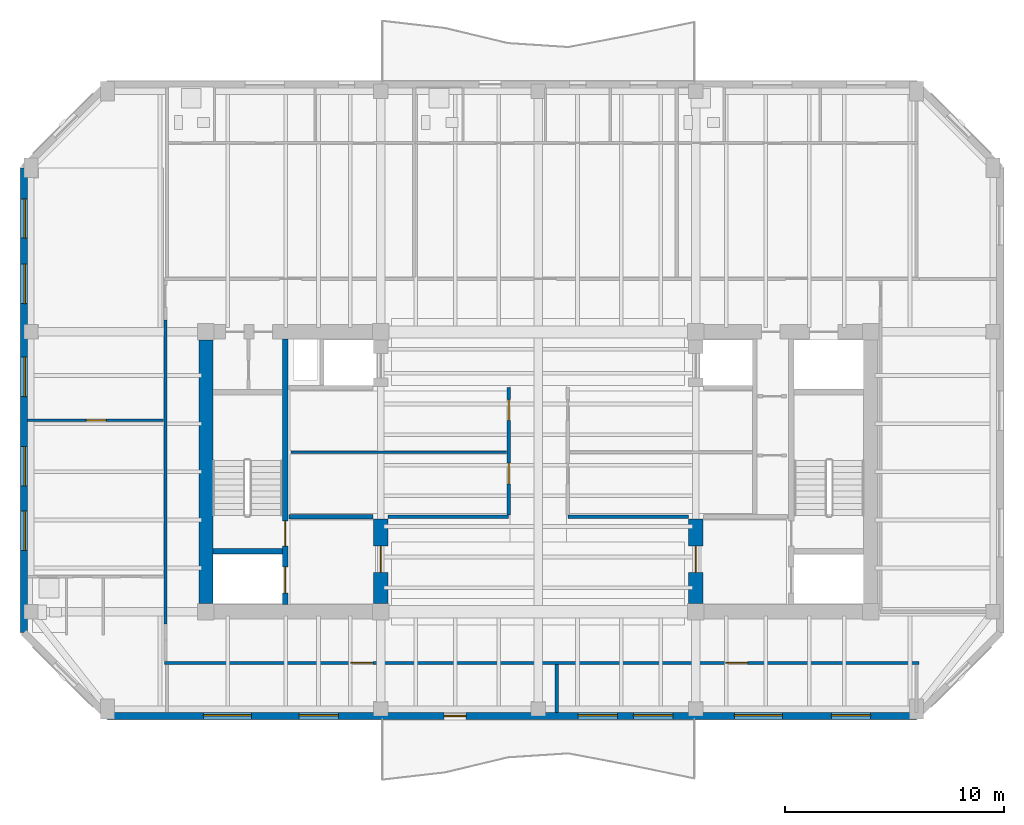
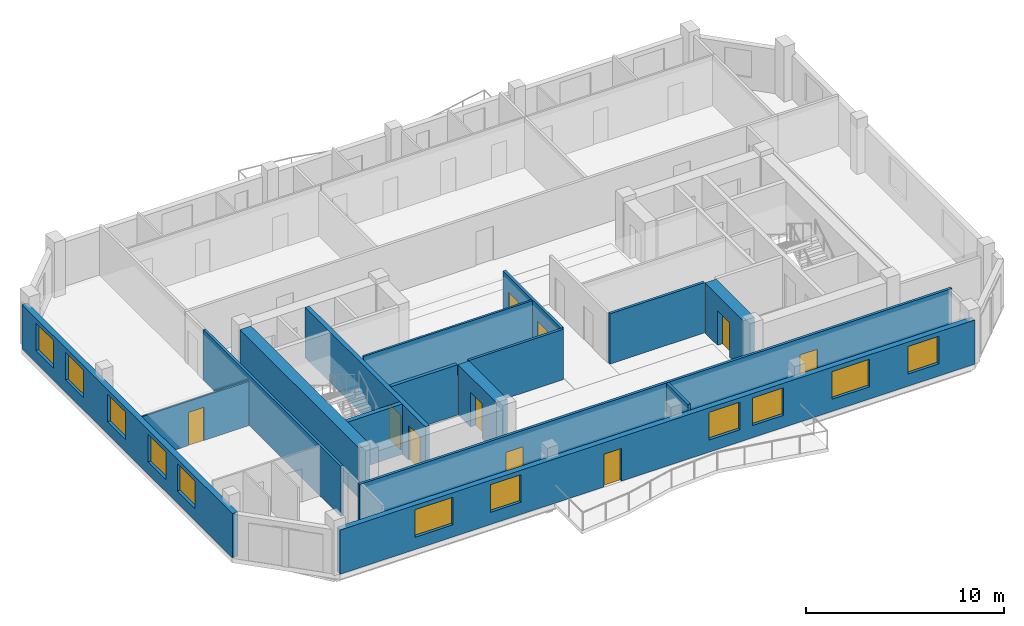
# One storey, part 3 of 10: 16 walls, 11 windows, 10 doors, 21 openings.
"""IFC4 building model written with IfcOpenShell, lengths in metres."""

from ifc_helpers import new_model, si_unit, direction, frame, frame_2d, origin, place, context, subcontext, project, spatial, rectangle, extrude, material, layer, layer_set, type_object, element, fill, save


model = new_model("IFC4")

# Units and contexts
model_context = context("Model", 3, precision=1e-05, world=origin(), true_north=direction((0.0, 1.0)))
body_context = subcontext(model_context, "Body", "Model", "MODEL_VIEW")
ifc_project = project(units=[si_unit("LENGTHUNIT", "METRE"), si_unit("AREAUNIT", "SQUARE_METRE"), si_unit("VOLUMEUNIT", "CUBIC_METRE"), si_unit("PLANEANGLEUNIT", "RADIAN"), si_unit("MASSUNIT", "GRAM", prefix="KILO")], contexts=[model_context])

# Site, building, storey
site_placement = place(None, origin())
site = spatial("IfcSite", under=ifc_project, at=site_placement, CompositionType="ELEMENT")
building_placement = place(site_placement, origin())
building = spatial("IfcBuilding", under=site, at=building_placement, Name="Kranthara Brick Stack", CompositionType="ELEMENT")
storey_placement = place(building_placement, frame((0.0, 0.0, 275.5)))
storey = spatial("IfcBuildingStorey", under=building, at=storey_placement, Name="L73", CompositionType="ELEMENT", Elevation=275.5)

# Wall, openings, door, windows
ifc_material_1 = material(Name="Warm buff clay brick masonry M15", Category="masonry")
ifc_layer_1 = layer(ifc_material_1, 0.320068359375)
ifc_layer_set_1 = layer_set([ifc_layer_1], Name="Warm buff clay brick masonry M15")
wall_type_1 = type_object("IfcWallType", Name="WL-BRK-UPPR-320", PredefinedType="STANDARD", material=ifc_layer_set_1)
wall_1_placement = place(storey_placement, frame((45.300048828125, 16.030029296875, 0.0), z_axis=(0.0, 0.0, 1.0), x_axis=(-1.0, 0.0, 0.0)))
wall_1 = element("IfcWall", 1, at=wall_1_placement, inside=storey, type_object=wall_type_1, Name="L73 Exterior Brick Facade Wall SOUTH 1", PredefinedType="STANDARD", context=body_context, shape_type="SweptSolid", body=[
    extrude(rectangle(XDim=37.0, YDim=0.320068359375, at=frame_2d((18.5, 0.0))), origin(), (0.0, 0.0, 1.0), 2.72509765625),
])
opening_1_placement = place(wall_1_placement, frame((20.60009765625, 0.0, 0.0)))
opening_1 = element("IfcOpeningElement", 2, at=opening_1_placement, cuts=wall_1, Name="Opening D03", PredefinedType="OPENING", context=body_context, shape_type="SweptSolid", body=[
    extrude(rectangle(XDim=1.0, YDim=2.02001953125, at=frame_2d((0.5, 1.010009765625))), frame((0.0, 0.169921875, 0.0), z_axis=(0.0, -1.0, 0.0), x_axis=(1.0, 0.0, 0.0)), (0.0, 0.0, 1.0), 0.340087890625),
])
opening_2_placement = place(wall_1_placement, frame((2.093994140625, 0.0, 0.75)))
opening_2 = element("IfcOpeningElement", 3, at=opening_2_placement, cuts=wall_1, Name="Opening WN07", PredefinedType="OPENING", context=body_context, shape_type="SweptSolid", body=[
    extrude(rectangle(XDim=1.800048828125, YDim=1.699951171875, at=frame_2d((0.89990234375, 0.85009765625))), frame((0.0, 0.169921875, 0.0), z_axis=(0.0, -1.0, 0.0), x_axis=(1.0, 0.0, 0.0)), (0.0, 0.0, 1.0), 0.340087890625),
])
opening_3_placement = place(wall_1_placement, frame((6.1298828125, 0.0, 0.75)))
opening_3 = element("IfcOpeningElement", 4, at=opening_3_placement, cuts=wall_1, Name="Opening WN08", PredefinedType="OPENING", context=body_context, shape_type="SweptSolid", body=[
    extrude(rectangle(XDim=2.199951171875, YDim=1.699951171875, at=frame_2d((1.10009765625, 0.85009765625))), frame((0.0, 0.169921875, 0.0), z_axis=(0.0, -1.0, 0.0), x_axis=(1.0, 0.0, 0.0)), (0.0, 0.0, 1.0), 0.340087890625),
])
opening_4_placement = place(wall_1_placement, frame((11.14794921875, 0.0, 0.75)))
opening_4 = element("IfcOpeningElement", 5, at=opening_4_placement, cuts=wall_1, Name="Opening WN07", PredefinedType="OPENING", context=body_context, shape_type="SweptSolid", body=[
    extrude(rectangle(XDim=1.800048828125, YDim=1.699951171875, at=frame_2d((0.89990234375, 0.85009765625))), frame((0.0, 0.169921875, 0.0), z_axis=(0.0, -1.0, 0.0), x_axis=(1.0, 0.0, 0.0)), (0.0, 0.0, 1.0), 0.340087890625),
])
opening_5_placement = place(wall_1_placement, frame((13.680908203125, 0.0, 0.75)))
opening_5 = element("IfcOpeningElement", 6, at=opening_5_placement, cuts=wall_1, Name="Opening WN07", PredefinedType="OPENING", context=body_context, shape_type="SweptSolid", body=[
    extrude(rectangle(XDim=1.800048828125, YDim=1.699951171875, at=frame_2d((0.89990234375, 0.85009765625))), frame((0.0, 0.169921875, 0.0), z_axis=(0.0, -1.0, 0.0), x_axis=(1.0, 0.0, 0.0)), (0.0, 0.0, 1.0), 0.340087890625),
])
opening_6_placement = place(wall_1_placement, frame((26.43798828125, 0.0, 0.75)))
opening_6 = element("IfcOpeningElement", 7, at=opening_6_placement, cuts=wall_1, Name="Opening WN07", PredefinedType="OPENING", context=body_context, shape_type="SweptSolid", body=[
    extrude(rectangle(XDim=1.800048828125, YDim=1.699951171875, at=frame_2d((0.89990234375, 0.85009765625))), frame((0.0, 0.169921875, 0.0), z_axis=(0.0, -1.0, 0.0), x_axis=(1.0, 0.0, 0.0)), (0.0, 0.0, 1.0), 0.340087890625),
])
opening_7_placement = place(wall_1_placement, frame((30.4169921875, 0.0, 0.75)))
opening_7 = element("IfcOpeningElement", 8, at=opening_7_placement, cuts=wall_1, Name="Opening WN08", PredefinedType="OPENING", context=body_context, shape_type="SweptSolid", body=[
    extrude(rectangle(XDim=2.199951171875, YDim=1.699951171875, at=frame_2d((1.10009765625, 0.85009765625))), frame((0.0, 0.169921875, 0.0), z_axis=(0.0, -1.0, 0.0), x_axis=(1.0, 0.0, 0.0)), (0.0, 0.0, 1.0), 0.340087890625),
])
ifc_material_2 = material(Name="Bronze anodised aluminium and laminated glass", Category="aluminium")
door_type_1 = type_object("IfcDoorType", Name="DR-BALC-1000", OperationType="NOTDEFINED", PredefinedType="DOOR", material=ifc_material_2)
door_1_placement = place(opening_1_placement, origin())
door_1 = element("IfcDoor", 9, at=door_1_placement, inside=storey, type_object=door_type_1, Name="L73 South Balcony Terrace Door", OperationType="SINGLE_SWING_LEFT", OverallHeight=2.02001953125, OverallWidth=1.0, PredefinedType="DOOR", context=body_context, shape_type="SweptSolid", body=[
    extrude(rectangle(XDim=1.0, YDim=2.02001953125, at=frame_2d((0.5, 1.010009765625))), frame((0.0, 0.02490234375, 0.0), z_axis=(0.0, -1.0, 0.0), x_axis=(1.0, 0.0, 0.0)), (0.0, 0.0, 1.0), 0.050048828125),
])
fill(opening_1, door_1)
ifc_material_3 = material(Name="Double-glazed low-E solar control glass", Category="glass")
window_type_1 = type_object("IfcWindowType", Name="WN-RES-1800x1850", PartitioningType="DOUBLE_PANEL_VERTICAL", PredefinedType="WINDOW", material=ifc_material_3)
window_1_placement = place(opening_2_placement, origin())
window_1 = element("IfcWindow", 10, at=window_1_placement, inside=storey, type_object=window_type_1, Name="L73 South Deep-Set Brick Window 01", OverallHeight=1.699951171875, OverallWidth=1.800048828125, PartitioningType="SINGLE_PANEL", PredefinedType="WINDOW", context=body_context, shape_type="SweptSolid", body=[
    extrude(rectangle(XDim=1.800048828125, YDim=1.699951171875, at=frame_2d((0.89990234375, 0.85009765625))), frame((0.0, -0.010009765625, 0.0), z_axis=(0.0, -1.0, 0.0), x_axis=(1.0, 0.0, 0.0)), (0.0, 0.0, 1.0), 0.06005859375),
])
fill(opening_2, window_1)
window_2_placement = place(opening_4_placement, origin())
window_2 = element("IfcWindow", 11, at=window_2_placement, inside=storey, type_object=window_type_1, Name="L73 South Deep-Set Brick Window 03", OverallHeight=1.699951171875, OverallWidth=1.800048828125, PartitioningType="SINGLE_PANEL", PredefinedType="WINDOW", context=body_context, shape_type="SweptSolid", body=[
    extrude(rectangle(XDim=1.800048828125, YDim=1.699951171875, at=frame_2d((0.89990234375, 0.85009765625))), frame((0.0, -0.010009765625, 0.0), z_axis=(0.0, -1.0, 0.0), x_axis=(1.0, 0.0, 0.0)), (0.0, 0.0, 1.0), 0.06005859375),
])
fill(opening_4, window_2)
window_3_placement = place(opening_5_placement, origin())
window_3 = element("IfcWindow", 12, at=window_3_placement, inside=storey, type_object=window_type_1, Name="L73 South Deep-Set Brick Window 04", OverallHeight=1.699951171875, OverallWidth=1.800048828125, PartitioningType="SINGLE_PANEL", PredefinedType="WINDOW", context=body_context, shape_type="SweptSolid", body=[
    extrude(rectangle(XDim=1.800048828125, YDim=1.699951171875, at=frame_2d((0.89990234375, 0.85009765625))), frame((0.0, -0.010009765625, 0.0), z_axis=(0.0, -1.0, 0.0), x_axis=(1.0, 0.0, 0.0)), (0.0, 0.0, 1.0), 0.06005859375),
])
fill(opening_5, window_3)
window_4_placement = place(opening_6_placement, origin())
window_4 = element("IfcWindow", 13, at=window_4_placement, inside=storey, type_object=window_type_1, Name="L73 South Deep-Set Brick Window 05", OverallHeight=1.699951171875, OverallWidth=1.800048828125, PartitioningType="SINGLE_PANEL", PredefinedType="WINDOW", context=body_context, shape_type="SweptSolid", body=[
    extrude(rectangle(XDim=1.800048828125, YDim=1.699951171875, at=frame_2d((0.89990234375, 0.85009765625))), frame((0.0, -0.010009765625, 0.0), z_axis=(0.0, -1.0, 0.0), x_axis=(1.0, 0.0, 0.0)), (0.0, 0.0, 1.0), 0.06005859375),
])
fill(opening_6, window_4)
ifc_material_4 = material(Name="Double-glazed low-E solar control glass", Category="glass")
window_type_2 = type_object("IfcWindowType", Name="WN-RES-2200x1850", PartitioningType="TRIPLE_PANEL_VERTICAL", PredefinedType="WINDOW", material=ifc_material_4)
window_5_placement = place(opening_3_placement, origin())
window_5 = element("IfcWindow", 14, at=window_5_placement, inside=storey, type_object=window_type_2, Name="L73 South Deep-Set Brick Window 02", OverallHeight=1.699951171875, OverallWidth=2.199951171875, PartitioningType="SINGLE_PANEL", PredefinedType="WINDOW", context=body_context, shape_type="SweptSolid", body=[
    extrude(rectangle(XDim=2.199951171875, YDim=1.699951171875, at=frame_2d((1.10009765625, 0.85009765625))), frame((0.0, -0.010009765625, 0.0), z_axis=(0.0, -1.0, 0.0), x_axis=(1.0, 0.0, 0.0)), (0.0, 0.0, 1.0), 0.06005859375),
])
fill(opening_3, window_5)
window_6_placement = place(opening_7_placement, origin())
window_6 = element("IfcWindow", 15, at=window_6_placement, inside=storey, type_object=window_type_2, Name="L73 South Deep-Set Brick Window 06", OverallHeight=1.699951171875, OverallWidth=2.199951171875, PartitioningType="SINGLE_PANEL", PredefinedType="WINDOW", context=body_context, shape_type="SweptSolid", body=[
    extrude(rectangle(XDim=2.199951171875, YDim=1.699951171875, at=frame_2d((1.10009765625, 0.85009765625))), frame((0.0, -0.010009765625, 0.0), z_axis=(0.0, -1.0, 0.0), x_axis=(1.0, 0.0, 0.0)), (0.0, 0.0, 1.0), 0.06005859375),
])
fill(opening_7, window_6)

# Wall, openings, windows
wall_2_placement = place(storey_placement, frame((4.47998046875, 19.85009765625, 0.0), z_axis=(0.0, 0.0, 1.0), x_axis=(0.0, 1.0, 0.0)))
wall_2 = element("IfcWall", 16, at=wall_2_placement, inside=storey, type_object=wall_type_1, Name="L73 Exterior Brick Facade Wall WEST 1", PredefinedType="STANDARD", context=body_context, shape_type="SweptSolid", body=[
    extrude(rectangle(XDim=21.25, YDim=0.320068359375, at=frame_2d((10.625, 0.0))), origin(), (0.0, 0.0, 1.0), 2.72509765625),
])
opening_8_placement = place(wall_2_placement, frame((3.7509765625, 0.0, 0.75)))
opening_8 = element("IfcOpeningElement", 17, at=opening_8_placement, cuts=wall_2, Name="Opening WN07", PredefinedType="OPENING", context=body_context, shape_type="SweptSolid", body=[
    extrude(rectangle(XDim=1.800048828125, YDim=1.699951171875, at=frame_2d((0.89990234375, 0.85009765625))), frame((0.0, 0.169921875, 0.0), z_axis=(0.0, -1.0, 0.0), x_axis=(1.0, 0.0, 0.0)), (0.0, 0.0, 1.0), 0.340087890625),
])
opening_9_placement = place(wall_2_placement, frame((6.705078125, 0.0, 0.75)))
opening_9 = element("IfcOpeningElement", 18, at=opening_9_placement, cuts=wall_2, Name="Opening WN07", PredefinedType="OPENING", context=body_context, shape_type="SweptSolid", body=[
    extrude(rectangle(XDim=1.800048828125, YDim=1.699951171875, at=frame_2d((0.89990234375, 0.85009765625))), frame((0.0, 0.169921875, 0.0), z_axis=(0.0, -1.0, 0.0), x_axis=(1.0, 0.0, 0.0)), (0.0, 0.0, 1.0), 0.340087890625),
])
opening_10_placement = place(wall_2_placement, frame((10.7900390625, 0.0, 0.75)))
opening_10 = element("IfcOpeningElement", 19, at=opening_10_placement, cuts=wall_2, Name="Opening WN07", PredefinedType="OPENING", context=body_context, shape_type="SweptSolid", body=[
    extrude(rectangle(XDim=1.800048828125, YDim=1.699951171875, at=frame_2d((0.89990234375, 0.85009765625))), frame((0.0, 0.169921875, 0.0), z_axis=(0.0, -1.0, 0.0), x_axis=(1.0, 0.0, 0.0)), (0.0, 0.0, 1.0), 0.340087890625),
])
opening_11_placement = place(wall_2_placement, frame((15.04296875, 0.0, 0.75)))
opening_11 = element("IfcOpeningElement", 20, at=opening_11_placement, cuts=wall_2, Name="Opening WN07", PredefinedType="OPENING", context=body_context, shape_type="SweptSolid", body=[
    extrude(rectangle(XDim=1.800048828125, YDim=1.699951171875, at=frame_2d((0.89990234375, 0.85009765625))), frame((0.0, 0.169921875, 0.0), z_axis=(0.0, -1.0, 0.0), x_axis=(1.0, 0.0, 0.0)), (0.0, 0.0, 1.0), 0.340087890625),
])
opening_12_placement = place(wall_2_placement, frame((18.031982421875, 0.0, 0.75)))
opening_12 = element("IfcOpeningElement", 21, at=opening_12_placement, cuts=wall_2, Name="Opening WN07", PredefinedType="OPENING", context=body_context, shape_type="SweptSolid", body=[
    extrude(rectangle(XDim=1.800048828125, YDim=1.699951171875, at=frame_2d((0.89990234375, 0.85009765625))), frame((0.0, 0.169921875, 0.0), z_axis=(0.0, -1.0, 0.0), x_axis=(1.0, 0.0, 0.0)), (0.0, 0.0, 1.0), 0.340087890625),
])
window_7_placement = place(opening_8_placement, origin())
window_7 = element("IfcWindow", 22, at=window_7_placement, inside=storey, type_object=window_type_1, Name="L73 West Deep-Set Brick Window 01", OverallHeight=1.699951171875, OverallWidth=1.800048828125, PartitioningType="SINGLE_PANEL", PredefinedType="WINDOW", context=body_context, shape_type="SweptSolid", body=[
    extrude(rectangle(XDim=1.800048828125, YDim=1.699951171875, at=frame_2d((0.89990234375, 0.85009765625))), frame((0.0, -0.010009765625, 0.0), z_axis=(0.0, -1.0, 0.0), x_axis=(1.0, 0.0, 0.0)), (0.0, 0.0, 1.0), 0.06005859375),
])
fill(opening_8, window_7)
window_8_placement = place(opening_9_placement, origin())
window_8 = element("IfcWindow", 23, at=window_8_placement, inside=storey, type_object=window_type_1, Name="L73 West Deep-Set Brick Window 02", OverallHeight=1.699951171875, OverallWidth=1.800048828125, PartitioningType="SINGLE_PANEL", PredefinedType="WINDOW", context=body_context, shape_type="SweptSolid", body=[
    extrude(rectangle(XDim=1.800048828125, YDim=1.699951171875, at=frame_2d((0.89990234375, 0.85009765625))), frame((0.0, -0.010009765625, 0.0), z_axis=(0.0, -1.0, 0.0), x_axis=(1.0, 0.0, 0.0)), (0.0, 0.0, 1.0), 0.06005859375),
])
fill(opening_9, window_8)
window_9_placement = place(opening_10_placement, origin())
window_9 = element("IfcWindow", 24, at=window_9_placement, inside=storey, type_object=window_type_1, Name="L73 West Deep-Set Brick Window 03", OverallHeight=1.699951171875, OverallWidth=1.800048828125, PartitioningType="SINGLE_PANEL", PredefinedType="WINDOW", context=body_context, shape_type="SweptSolid", body=[
    extrude(rectangle(XDim=1.800048828125, YDim=1.699951171875, at=frame_2d((0.89990234375, 0.85009765625))), frame((0.0, -0.010009765625, 0.0), z_axis=(0.0, -1.0, 0.0), x_axis=(1.0, 0.0, 0.0)), (0.0, 0.0, 1.0), 0.06005859375),
])
fill(opening_10, window_9)
window_10_placement = place(opening_11_placement, origin())
window_10 = element("IfcWindow", 25, at=window_10_placement, inside=storey, type_object=window_type_1, Name="L73 West Deep-Set Brick Window 04", OverallHeight=1.699951171875, OverallWidth=1.800048828125, PartitioningType="SINGLE_PANEL", PredefinedType="WINDOW", context=body_context, shape_type="SweptSolid", body=[
    extrude(rectangle(XDim=1.800048828125, YDim=1.699951171875, at=frame_2d((0.89990234375, 0.85009765625))), frame((0.0, -0.010009765625, 0.0), z_axis=(0.0, -1.0, 0.0), x_axis=(1.0, 0.0, 0.0)), (0.0, 0.0, 1.0), 0.06005859375),
])
fill(opening_11, window_10)
window_11_placement = place(opening_12_placement, origin())
window_11 = element("IfcWindow", 26, at=window_11_placement, inside=storey, type_object=window_type_1, Name="L73 West Deep-Set Brick Window 05", OverallHeight=1.699951171875, OverallWidth=1.800048828125, PartitioningType="SINGLE_PANEL", PredefinedType="WINDOW", context=body_context, shape_type="SweptSolid", body=[
    extrude(rectangle(XDim=1.800048828125, YDim=1.699951171875, at=frame_2d((0.89990234375, 0.85009765625))), frame((0.0, -0.010009765625, 0.0), z_axis=(0.0, -1.0, 0.0), x_axis=(1.0, 0.0, 0.0)), (0.0, 0.0, 1.0), 0.06005859375),
])
fill(opening_12, window_11)

# Wall, openings, doors
ifc_material_5 = material(Name="Concrete C50/60", Category="concrete")
ifc_layer_2 = layer(ifc_material_5, 0.25)
ifc_layer_set_2 = layer_set([ifc_layer_2], Name="Concrete C50/60")
wall_type_2 = type_object("IfcWallType", Name="WL-CORE-250", PredefinedType="SHEAR", material=ifc_layer_set_2)
wall_3_placement = place(storey_placement, frame((16.43505859375, 21.135009765625, 0.0), z_axis=(0.0, 0.0, 1.0), x_axis=(0.0, 1.0, 0.0)))
wall_3 = element("IfcWall", 27, at=wall_3_placement, inside=storey, type_object=wall_type_2, Name="L73 West Core Stair Bearing Spine Wall", PredefinedType="SHEAR", context=body_context, shape_type="SweptSolid", body=[
    extrude(rectangle(XDim=12.1298828125, YDim=0.25, at=frame_2d((6.06494140625, 0.0))), origin(), (0.0, 0.0, 1.0), 3.10009765625),
])
opening_13_placement = place(wall_3_placement, frame((0.514892578125, 0.0, 0.0)))
opening_13 = element("IfcOpeningElement", 28, at=opening_13_placement, cuts=wall_3, Name="Opening LD01", PredefinedType="OPENING", context=body_context, shape_type="SweptSolid", body=[
    extrude(rectangle(XDim=1.199951171875, YDim=2.14990234375, at=frame_2d((0.60009765625, 1.074951171875))), frame((0.0, 0.135009765625, 0.0), z_axis=(0.0, -1.0, 0.0), x_axis=(1.0, 0.0, 0.0)), (0.0, 0.0, 1.0), 0.27001953125),
])
opening_14_placement = place(wall_3_placement, frame((2.6650390625, 0.0, 0.0)))
opening_14 = element("IfcOpeningElement", 29, at=opening_14_placement, cuts=wall_3, Name="Opening D05", PredefinedType="OPENING", context=body_context, shape_type="SweptSolid", body=[
    extrude(rectangle(XDim=1.14990234375, YDim=2.14990234375, at=frame_2d((0.574951171875, 1.074951171875))), frame((0.0, 0.135009765625, 0.0), z_axis=(0.0, -1.0, 0.0), x_axis=(1.0, 0.0, 0.0)), (0.0, 0.0, 1.0), 0.27001953125),
])
ifc_material_6 = material(Name="Stainless steel sliding landing door", Category="steel")
door_type_2 = type_object("IfcDoorType", Name="DR-LD-FF1200", OperationType="DOUBLE_DOOR_SLIDING", PredefinedType="DOOR", material=ifc_material_6)
door_2_placement = place(opening_13_placement, origin())
door_2 = element("IfcDoor", 30, at=door_2_placement, inside=storey, type_object=door_type_2, Name="L73 Firefighting Lift FF-01 Landing Door", OperationType="DOUBLE_DOOR_SLIDING", OverallHeight=2.14990234375, OverallWidth=1.199951171875, PredefinedType="DOOR", context=body_context, shape_type="SweptSolid", body=[
    extrude(rectangle(XDim=1.199951171875, YDim=2.14990234375, at=frame_2d((0.60009765625, 1.074951171875))), frame((0.0, 0.02490234375, 0.0), z_axis=(0.0, -1.0, 0.0), x_axis=(1.0, 0.0, 0.0)), (0.0, 0.0, 1.0), 0.050048828125),
])
fill(opening_13, door_2)
ifc_material_7 = material(Name="Solid-core hardwood timber leaf in steel frame", Category="steel")
door_type_3 = type_object("IfcDoorType", Name="DR-ST-1150", OperationType="NOTDEFINED", PredefinedType="DOOR", material=ifc_material_7)
door_3_placement = place(opening_14_placement, origin())
door_3 = element("IfcDoor", 31, at=door_3_placement, inside=storey, type_object=door_type_3, Name="L73 Exit Stair ST01 Door", OperationType="SINGLE_SWING_RIGHT", OverallHeight=2.14990234375, OverallWidth=1.14990234375, PredefinedType="DOOR", context=body_context, shape_type="SweptSolid", body=[
    extrude(rectangle(XDim=1.14990234375, YDim=2.14990234375, at=frame_2d((0.574951171875, 1.074951171875))), frame((0.0, 0.02490234375, 0.0), z_axis=(0.0, -1.0, 0.0), x_axis=(1.0, 0.0, 0.0)), (0.0, 0.0, 1.0), 0.050048828125),
])
fill(opening_14, door_3)

# Walls
wall_4_placement = place(storey_placement, frame((13.135009765625, 23.570068359375, 0.0), z_axis=(0.0, 0.0, 1.0), x_axis=(1.0, 0.0, 0.0)))
element("IfcWall", 32, at=wall_4_placement, inside=storey, type_object=wall_type_2, Name="L73 West Stairwell Bearing Wall WFF", PredefinedType="SHEAR", context=body_context, shape_type="SweptSolid", body=[
    extrude(rectangle(XDim=3.175048828125, YDim=0.25, at=frame_2d((1.58740234375, 0.0))), origin(), (0.0, 0.0, 1.0), 3.10009765625),
])
ifc_material_8 = material(Name="Concrete C60/75", Category="concrete")
ifc_layer_3 = layer(ifc_material_8, 0.64990234375)
ifc_layer_set_3 = layer_set([ifc_layer_3], Name="Concrete C60/75")
wall_type_3 = type_object("IfcWallType", Name="WL-CORE-650", PredefinedType="SHEAR", material=ifc_layer_set_3)
wall_5_placement = place(storey_placement, frame((12.800048828125, 21.179931640625, 0.0), z_axis=(0.0, 0.0, 1.0), x_axis=(0.0, 1.0, 0.0)))
element("IfcWall", 33, at=wall_5_placement, inside=storey, type_object=wall_type_3, Name="L73 West Core Shear Wall West", PredefinedType="SHEAR", context=body_context, shape_type="SweptSolid", body=[
    extrude(rectangle(XDim=12.0400390625, YDim=0.64990234375, at=frame_2d((6.02001953125, 0.0))), origin(), (0.0, 0.0, 1.0), 3.10009765625),
])

# Wall, opening, door
wall_6_placement = place(storey_placement, frame((20.800048828125, 21.179931640625, 0.0), z_axis=(0.0, 0.0, 1.0), x_axis=(0.0, 1.0, 0.0)))
wall_6 = element("IfcWall", 34, at=wall_6_placement, inside=storey, type_object=wall_type_3, Name="L73 West Core Lobby Shear Wall", PredefinedType="SHEAR", context=body_context, shape_type="SweptSolid", body=[
    extrude(rectangle(XDim=3.8701171875, YDim=0.64990234375, at=frame_2d((1.93505859375, 0.0))), origin(), (0.0, 0.0, 1.0), 3.10009765625),
])
opening_15_placement = place(wall_6_placement, frame((1.419921875, 0.0, 0.0)))
opening_15 = element("IfcOpeningElement", 35, at=opening_15_placement, cuts=wall_6, Name="Opening D06", PredefinedType="OPENING", context=body_context, shape_type="SweptSolid", body=[
    extrude(rectangle(XDim=1.199951171875, YDim=2.14990234375, at=frame_2d((0.60009765625, 1.074951171875))), frame((0.0, 0.3349609375, 0.0), z_axis=(0.0, -1.0, 0.0), x_axis=(1.0, 0.0, 0.0)), (0.0, 0.0, 1.0), 0.669921875),
])
ifc_material_9 = material(Name="Solid-core hardwood timber leaf in steel frame", Category="steel")
door_type_4 = type_object("IfcDoorType", Name="DR-FFL-1200", OperationType="NOTDEFINED", PredefinedType="DOOR", material=ifc_material_9)
door_4_placement = place(opening_15_placement, origin())
door_4 = element("IfcDoor", 36, at=door_4_placement, inside=storey, type_object=door_type_4, Name="L73 West Firefighting Lobby Door", OperationType="SINGLE_SWING_LEFT", OverallHeight=2.14990234375, OverallWidth=1.199951171875, PredefinedType="DOOR", context=body_context, shape_type="SweptSolid", body=[
    extrude(rectangle(XDim=1.199951171875, YDim=2.14990234375, at=frame_2d((0.60009765625, 1.074951171875))), frame((0.0, 0.02490234375, 0.0), z_axis=(0.0, -1.0, 0.0), x_axis=(1.0, 0.0, 0.0)), (0.0, 0.0, 1.0), 0.050048828125),
])
fill(opening_15, door_4)

wall_7_placement = place(storey_placement, frame((35.199951171875, 21.179931640625, 0.0), z_axis=(0.0, 0.0, 1.0), x_axis=(0.0, 1.0, 0.0)))
wall_7 = element("IfcWall", 37, at=wall_7_placement, inside=storey, type_object=wall_type_3, Name="L73 East Core Lobby Shear Wall", PredefinedType="SHEAR", context=body_context, shape_type="SweptSolid", body=[
    extrude(rectangle(XDim=3.8701171875, YDim=0.64990234375, at=frame_2d((1.93505859375, 0.0))), origin(), (0.0, 0.0, 1.0), 3.10009765625),
])
opening_16_placement = place(wall_7_placement, frame((1.419921875, 0.0, 0.0)))
opening_16 = element("IfcOpeningElement", 38, at=opening_16_placement, cuts=wall_7, Name="Opening D06", PredefinedType="OPENING", context=body_context, shape_type="SweptSolid", body=[
    extrude(rectangle(XDim=1.199951171875, YDim=2.14990234375, at=frame_2d((0.60009765625, 1.074951171875))), frame((0.0, 0.3349609375, 0.0), z_axis=(0.0, -1.0, 0.0), x_axis=(1.0, 0.0, 0.0)), (0.0, 0.0, 1.0), 0.669921875),
])
door_5_placement = place(opening_16_placement, origin())
door_5 = element("IfcDoor", 39, at=door_5_placement, inside=storey, type_object=door_type_4, Name="L73 East Firefighting Lobby Door", OperationType="SINGLE_SWING_RIGHT", OverallHeight=2.14990234375, OverallWidth=1.199951171875, PredefinedType="DOOR", context=body_context, shape_type="SweptSolid", body=[
    extrude(rectangle(XDim=1.199951171875, YDim=2.14990234375, at=frame_2d((0.60009765625, 1.074951171875))), frame((0.0, 0.02490234375, 0.0), z_axis=(0.0, -1.0, 0.0), x_axis=(1.0, 0.0, 0.0)), (0.0, 0.0, 1.0), 0.050048828125),
])
fill(opening_16, door_5)

ifc_material_10 = material(Name="Moisture-resistant wet-room partition", Category="other")
ifc_layer_4 = layer(ifc_material_10, 0.10009765625)
ifc_layer_set_4 = layer_set([ifc_layer_4], Name="Moisture-resistant wet-room partition")
wall_type_4 = type_object("IfcWallType", Name="WL-PART-100", PredefinedType="PARTITIONING", material=ifc_layer_set_4)
wall_8_placement = place(storey_placement, frame((4.64501953125, 29.555908203125, 0.0), z_axis=(0.0, 0.0, 1.0), x_axis=(1.0, 0.0, 0.0)))
wall_8 = element("IfcWall", 40, at=wall_8_placement, inside=storey, type_object=wall_type_4, Name="L73 Interior Partition 035", PredefinedType="PARTITIONING", context=body_context, shape_type="SweptSolid", body=[
    extrude(rectangle(XDim=6.22509765625, YDim=0.10009765625, at=frame_2d((3.112548828125, 0.0))), origin(), (0.0, 0.0, 1.0), 2.72509765625),
])
opening_17_placement = place(wall_8_placement, frame((2.696044921875, 0.0, 0.0)))
opening_17 = element("IfcOpeningElement", 41, at=opening_17_placement, cuts=wall_8, Name="Opening D15", PredefinedType="OPENING", context=body_context, shape_type="SweptSolid", body=[
    extrude(rectangle(XDim=0.89990234375, YDim=2.050048828125, at=frame_2d((0.449951171875, 1.02490234375))), frame((0.0, 0.06005859375, 0.0), z_axis=(0.0, -1.0, 0.0), x_axis=(1.0, 0.0, 0.0)), (0.0, 0.0, 1.0), 0.1201171875),
])
ifc_material_11 = material(Name="Solid-core hardwood timber leaf in steel frame", Category="steel")
door_type_5 = type_object("IfcDoorType", Name="DR-INT-900", OperationType="NOTDEFINED", PredefinedType="DOOR", material=ifc_material_11)
door_6_placement = place(opening_17_placement, origin())
door_6 = element("IfcDoor", 42, at=door_6_placement, inside=storey, type_object=door_type_5, Name="L73 Unit L73D Study 24", OperationType="SINGLE_SWING_RIGHT", OverallHeight=2.050048828125, OverallWidth=0.89990234375, PredefinedType="DOOR", context=body_context, shape_type="SweptSolid", body=[
    extrude(rectangle(XDim=0.89990234375, YDim=2.050048828125, at=frame_2d((0.449951171875, 1.02490234375))), frame((0.0, 0.02490234375, 0.0), z_axis=(0.0, -1.0, 0.0), x_axis=(1.0, 0.0, 0.0)), (0.0, 0.0, 1.0), 0.050048828125),
])
fill(opening_17, door_6)

# Walls
ifc_material_12 = material(Name="Acoustic gypsum plasterboard partition", Category="other")
ifc_layer_5 = layer(ifc_material_12, 0.1201171875)
ifc_layer_set_5 = layer_set([ifc_layer_5], Name="Acoustic gypsum plasterboard partition")
wall_type_5 = type_object("IfcWallType", Name="WL-PART-120", PredefinedType="PARTITIONING", material=ifc_layer_set_5)
wall_9_placement = place(storey_placement, frame((16.699951171875, 28.10009765625, 0.0), z_axis=(0.0, 0.0, 1.0), x_axis=(1.0, 0.0, 0.0)))
element("IfcWall", 43, at=wall_9_placement, inside=storey, type_object=wall_type_5, Name="L73 Interior Partition 007", PredefinedType="PARTITIONING", context=body_context, shape_type="SweptSolid", body=[
    extrude(rectangle(XDim=9.85009765625, YDim=0.1201171875, at=frame_2d((4.925048828125, 0.0))), origin(), (0.0, 0.0, 1.0), 3.10009765625),
])
ifc_material_13 = material(Name="Fire-rated gypsum board partition", Category="other")
ifc_layer_6 = layer(ifc_material_13, 0.14990234375)
ifc_layer_set_6 = layer_set([ifc_layer_6], Name="Fire-rated gypsum board partition")
wall_type_6 = type_object("IfcWallType", Name="WL-PART-150", PredefinedType="PARTITIONING", material=ifc_layer_set_6)
for number, where, z_axis, x_axis, name in (
    (44, (21.1298828125, 25.14990234375, 0.0), (0.0, 0.0, 1.0), (1.0, 0.0, 0.0), "L73 Interior Partition 004"),
    (45, (29.35009765625, 25.14990234375, 0.0), (0.0, 0.0, 1.0), (1.0, 0.0, 0.0), "L73 Interior Partition 005"),
):
    element("IfcWall", number, at=place(storey_placement, frame(where, z_axis=z_axis, x_axis=x_axis)), inside=storey, type_object=wall_type_6, Name=name, PredefinedType="PARTITIONING", context=body_context, shape_type="SweptSolid", body=[
        extrude(rectangle(XDim=5.52001953125, YDim=0.14990234375, at=frame_2d((2.760009765625, 0.0))), origin(), (0.0, 0.0, 1.0), 3.10009765625),
    ])

# Wall, openings, doors
wall_10_placement = place(storey_placement, frame((26.64990234375, 25.22998046875, 0.0), z_axis=(0.0, 0.0, 1.0), x_axis=(0.0, 1.0, 0.0)))
wall_10 = element("IfcWall", 46, at=wall_10_placement, inside=storey, type_object=wall_type_6, Name="L73 Interior Partition 006", PredefinedType="PARTITIONING", context=body_context, shape_type="SweptSolid", body=[
    extrude(rectangle(XDim=5.820068359375, YDim=0.14990234375, at=frame_2d((2.91015625, 0.0))), origin(), (0.0, 0.0, 1.0), 3.10009765625),
])
opening_18_placement = place(wall_10_placement, frame((1.419921875, 0.0, 0.0)))
opening_18 = element("IfcOpeningElement", 47, at=opening_18_placement, cuts=wall_10, Name="Opening D09", PredefinedType="OPENING", context=body_context, shape_type="SweptSolid", body=[
    extrude(rectangle(XDim=0.949951171875, YDim=2.10009765625, at=frame_2d((0.47509765625, 1.050048828125))), frame((0.0, 0.0849609375, 0.0), z_axis=(0.0, -1.0, 0.0), x_axis=(1.0, 0.0, 0.0)), (0.0, 0.0, 1.0), 0.169921875),
])
opening_19_placement = place(wall_10_placement, frame((4.320068359375, 0.0, 0.0)))
opening_19 = element("IfcOpeningElement", 48, at=opening_19_placement, cuts=wall_10, Name="Opening D09", PredefinedType="OPENING", context=body_context, shape_type="SweptSolid", body=[
    extrude(rectangle(XDim=0.949951171875, YDim=2.10009765625, at=frame_2d((0.47509765625, 1.050048828125))), frame((0.0, 0.0849609375, 0.0), z_axis=(0.0, -1.0, 0.0), x_axis=(1.0, 0.0, 0.0)), (0.0, 0.0, 1.0), 0.169921875),
])
ifc_material_14 = material(Name="Solid-core hardwood timber leaf in steel frame", Category="steel")
door_type_6 = type_object("IfcDoorType", Name="DR-FD-950", OperationType="NOTDEFINED", PredefinedType="DOOR", material=ifc_material_14)
door_7_placement = place(opening_18_placement, origin())
door_7 = element("IfcDoor", 49, at=door_7_placement, inside=storey, type_object=door_type_6, Name="L73 Residents Study A 04", OperationType="SINGLE_SWING_RIGHT", OverallHeight=2.10009765625, OverallWidth=0.949951171875, PredefinedType="DOOR", context=body_context, shape_type="SweptSolid", body=[
    extrude(rectangle(XDim=0.949951171875, YDim=2.10009765625, at=frame_2d((0.47509765625, 1.050048828125))), frame((0.0, 0.02490234375, 0.0), z_axis=(0.0, -1.0, 0.0), x_axis=(1.0, 0.0, 0.0)), (0.0, 0.0, 1.0), 0.050048828125),
])
fill(opening_18, door_7)
door_8_placement = place(opening_19_placement, origin())
door_8 = element("IfcDoor", 50, at=door_8_placement, inside=storey, type_object=door_type_6, Name="L73 Residents Media Room 05", OperationType="SINGLE_SWING_LEFT", OverallHeight=2.10009765625, OverallWidth=0.949951171875, PredefinedType="DOOR", context=body_context, shape_type="SweptSolid", body=[
    extrude(rectangle(XDim=0.949951171875, YDim=2.10009765625, at=frame_2d((0.47509765625, 1.050048828125))), frame((0.0, 0.02490234375, 0.0), z_axis=(0.0, -1.0, 0.0), x_axis=(1.0, 0.0, 0.0)), (0.0, 0.0, 1.0), 0.050048828125),
])
fill(opening_19, door_8)

wall_11_placement = place(storey_placement, frame((10.89990234375, 18.4599609375, 0.0), z_axis=(0.0, 0.0, 1.0), x_axis=(1.0, 0.0, 0.0)))
wall_11 = element("IfcWall", 51, at=wall_11_placement, inside=storey, type_object=wall_type_6, Name="L73 Interior Partition 010", PredefinedType="PARTITIONING", context=body_context, shape_type="SweptSolid", body=[
    extrude(rectangle(XDim=34.52001953125, YDim=0.14990234375, at=frame_2d((17.260009765625, 0.0))), origin(), (0.0, 0.0, 1.0), 3.10009765625),
])
opening_20_placement = place(wall_11_placement, frame((8.532958984375, 0.0, 0.0)))
opening_20 = element("IfcOpeningElement", 52, at=opening_20_placement, cuts=wall_11, Name="Opening D08", PredefinedType="OPENING", context=body_context, shape_type="SweptSolid", body=[
    extrude(rectangle(XDim=1.0, YDim=2.10009765625, at=frame_2d((0.5, 1.050048828125))), frame((0.0, 0.0849609375, 0.0), z_axis=(0.0, -1.0, 0.0), x_axis=(1.0, 0.0, 0.0)), (0.0, 0.0, 1.0), 0.169921875),
])
opening_21_placement = place(wall_11_placement, frame((25.673095703125, 0.0, 0.0)))
opening_21 = element("IfcOpeningElement", 53, at=opening_21_placement, cuts=wall_11, Name="Opening D08", PredefinedType="OPENING", context=body_context, shape_type="SweptSolid", body=[
    extrude(rectangle(XDim=1.0, YDim=2.10009765625, at=frame_2d((0.5, 1.050048828125))), frame((0.0, 0.0849609375, 0.0), z_axis=(0.0, -1.0, 0.0), x_axis=(1.0, 0.0, 0.0)), (0.0, 0.0, 1.0), 0.169921875),
])
ifc_material_15 = material(Name="Solid-core hardwood timber leaf in steel frame", Category="steel")
door_type_7 = type_object("IfcDoorType", Name="DR-FD-1000", OperationType="NOTDEFINED", PredefinedType="DOOR", material=ifc_material_15)
door_9_placement = place(opening_20_placement, origin())
door_9 = element("IfcDoor", 54, at=door_9_placement, inside=storey, type_object=door_type_7, Name="L73 South Amenity Lounge 1 08", OperationType="SINGLE_SWING_RIGHT", OverallHeight=2.10009765625, OverallWidth=1.0, PredefinedType="DOOR", context=body_context, shape_type="SweptSolid", body=[
    extrude(rectangle(XDim=1.0, YDim=2.10009765625, at=frame_2d((0.5, 1.050048828125))), frame((0.0, 0.02490234375, 0.0), z_axis=(0.0, -1.0, 0.0), x_axis=(1.0, 0.0, 0.0)), (0.0, 0.0, 1.0), 0.050048828125),
])
fill(opening_20, door_9)
door_10_placement = place(opening_21_placement, origin())
door_10 = element("IfcDoor", 55, at=door_10_placement, inside=storey, type_object=door_type_7, Name="L73 South Amenity Lounge 2 09", OperationType="SINGLE_SWING_LEFT", OverallHeight=2.10009765625, OverallWidth=1.0, PredefinedType="DOOR", context=body_context, shape_type="SweptSolid", body=[
    extrude(rectangle(XDim=1.0, YDim=2.10009765625, at=frame_2d((0.5, 1.050048828125))), frame((0.0, 0.02490234375, 0.0), z_axis=(0.0, -1.0, 0.0), x_axis=(1.0, 0.0, 0.0)), (0.0, 0.0, 1.0), 0.050048828125),
])
fill(opening_21, door_10)

# Walls
wall_12_placement = place(storey_placement, frame((28.845947265625, 16.195068359375, 0.0), z_axis=(0.0, 0.0, 1.0), x_axis=(0.0, 1.0, 0.0)))
element("IfcWall", 56, at=wall_12_placement, inside=storey, type_object=wall_type_6, Name="L73 Interior Partition 012", PredefinedType="PARTITIONING", context=body_context, shape_type="SweptSolid", body=[
    extrude(rectangle(XDim=2.184814453125, YDim=0.14990234375, at=frame_2d((1.09228515625, 0.0))), origin(), (0.0, 0.0, 1.0), 3.10009765625),
])
wall_13_placement = place(storey_placement, frame((10.949951171875, 20.25, 0.0), z_axis=(0.0, 0.0, 1.0), x_axis=(0.0, 1.0, 0.0)))
element("IfcWall", 57, at=wall_13_placement, inside=storey, type_object=wall_type_6, Name="L73 Interior Partition 031", PredefinedType="PARTITIONING", context=body_context, shape_type="SweptSolid", body=[
    extrude(rectangle(XDim=13.89990234375, YDim=0.14990234375, at=frame_2d((6.949951171875, 0.0))), origin(), (0.0, 0.0, 1.0), 3.10009765625),
])
ifc_material_16 = material(Name="Concrete C40/50", Category="concrete")
ifc_layer_7 = layer(ifc_material_16, 0.199951171875)
ifc_layer_set_7 = layer_set([ifc_layer_7], Name="Concrete C40/50")
wall_type_7 = type_object("IfcWallType", Name="WL-PART-200", PredefinedType="SOLIDWALL", material=ifc_layer_set_7)
wall_14_placement = place(storey_placement, frame((16.60009765625, 25.14990234375, 0.0), z_axis=(0.0, 0.0, 1.0), x_axis=(1.0, 0.0, 0.0)))
element("IfcWall", 58, at=wall_14_placement, inside=storey, type_object=wall_type_7, Name="L73 West Core Cross Wall WFL", PredefinedType="SOLIDWALL", context=body_context, shape_type="SweptSolid", body=[
    extrude(rectangle(XDim=3.849853515625, YDim=0.199951171875, at=frame_2d((1.9248046875, 0.0))), origin(), (0.0, 0.0, 1.0), 3.10009765625),
])

save(model, "model.ifc")
